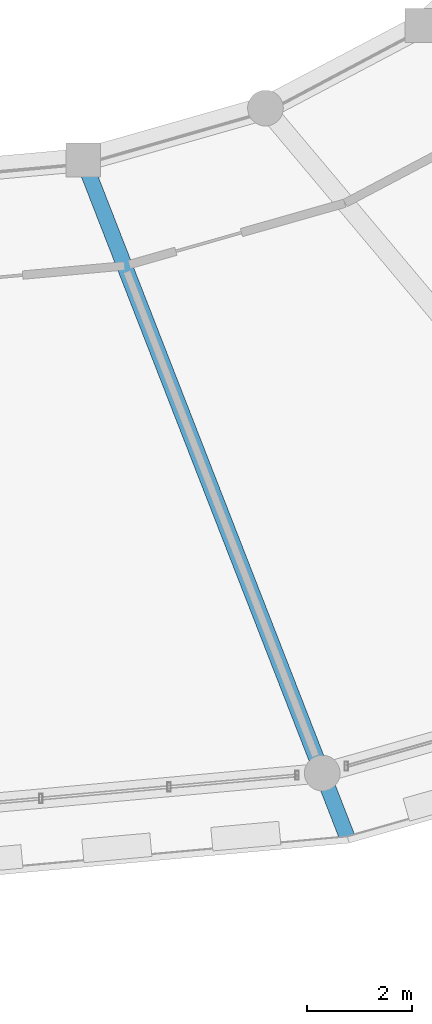
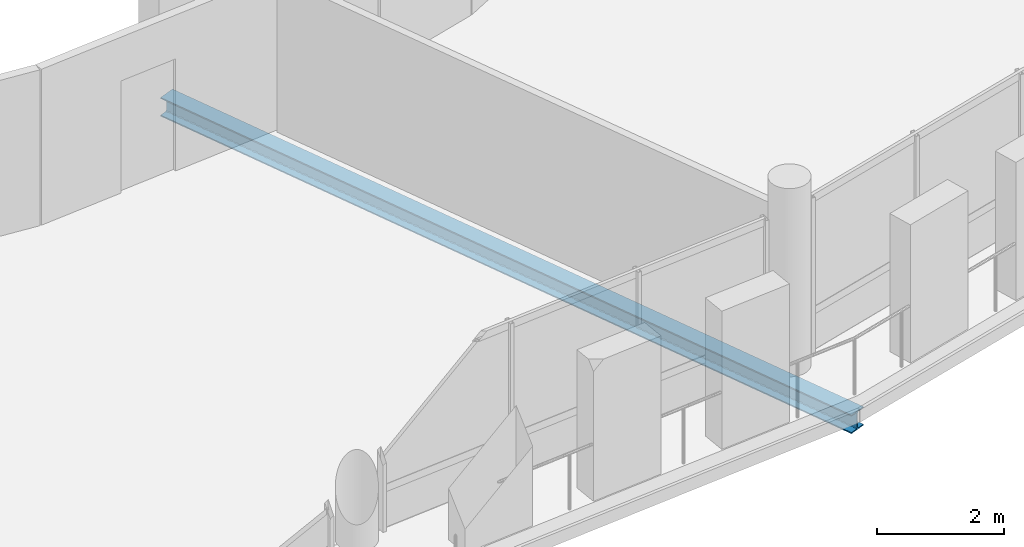
# One storey, part 49 of 128: 1 beam.
"""IFC4 building model written with IfcOpenShell, lengths in metres."""

from ifc_helpers import new_model, si_unit, direction, frame, origin, origin_2d, place, context, subcontext, project, spatial, i_section, extrude, material, material_profile, profile_set, type_object, element, save


model = new_model("IFC4")

# Units and contexts
model_context = context("Model", 3, precision=1e-05, world=origin(), true_north=direction((0.0, 1.0)))
body_context = subcontext(model_context, "Body", "Model", "MODEL_VIEW")
ifc_project = project(units=[si_unit("LENGTHUNIT", "METRE"), si_unit("AREAUNIT", "SQUARE_METRE"), si_unit("VOLUMEUNIT", "CUBIC_METRE"), si_unit("PLANEANGLEUNIT", "RADIAN"), si_unit("MASSUNIT", "GRAM", prefix="KILO")], contexts=[model_context])

# Site, building, storey
site_placement = place(None, origin())
site = spatial("IfcSite", under=ifc_project, at=site_placement, CompositionType="ELEMENT")
building_placement = place(site_placement, origin())
building = spatial("IfcBuilding", under=site, at=building_placement, Name="Zornivar Specialist Clinic", CompositionType="ELEMENT")
storey_placement = place(building_placement, frame((0.0, 0.0, 4.5)))
storey = spatial("IfcBuildingStorey", under=building, at=storey_placement, Name="L01", CompositionType="ELEMENT", Elevation=4.5)

# Beam
ifc_material = material(Name="Steel S355J2", Category="steel")
ifc_material_profile = material_profile(ifc_material, i_section(OverallWidth=0.300048828125, OverallDepth=0.360107421875, WebThickness=0.012451171875, FlangeThickness=0.0224609375, FilletRadius=0.027099609375, at=origin_2d()), Name="HEB 360")
ifc_profile_set = profile_set([ifc_material_profile], Name="Steel S355J2")
beam_type = type_object("IfcBeamType", Name="BM-STL-HEB360", PredefinedType="BEAM", material=ifc_profile_set)
beam_placement = place(storey_placement, frame((97.326904296875, 48.037109375, -0.469970703125), z_axis=(0.363143135914, -0.931733364669, 0.0), x_axis=(0.931733364669, 0.363143135914, 0.0)))
element("IfcBeam", 1, at=beam_placement, inside=storey, type_object=beam_type, Name="bm:V1:L01:radmid:19", PredefinedType="BEAM", context=body_context, shape_type="SweptSolid", body=[
    extrude(i_section(OverallWidth=0.300048828125, OverallDepth=0.360107421875, WebThickness=0.012451171875, FlangeThickness=0.0224609375, FilletRadius=0.027099609375, at=origin_2d()), origin(), (0.0, 0.0, 1.0), 13.911865234375),
])

save(model, "model.ifc")
